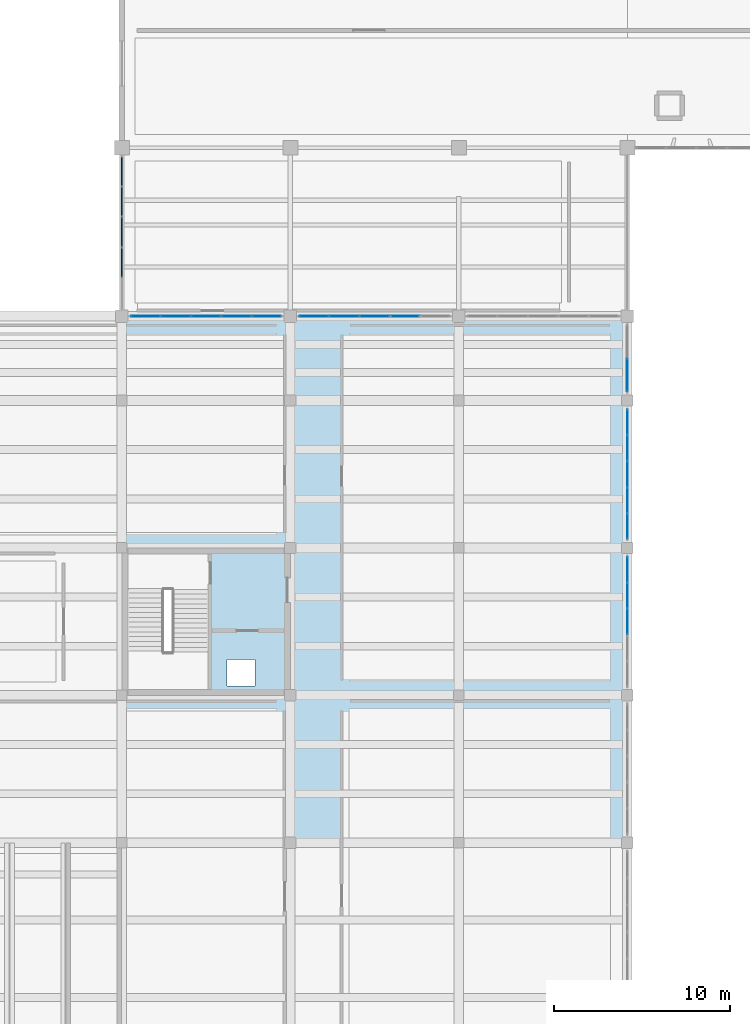
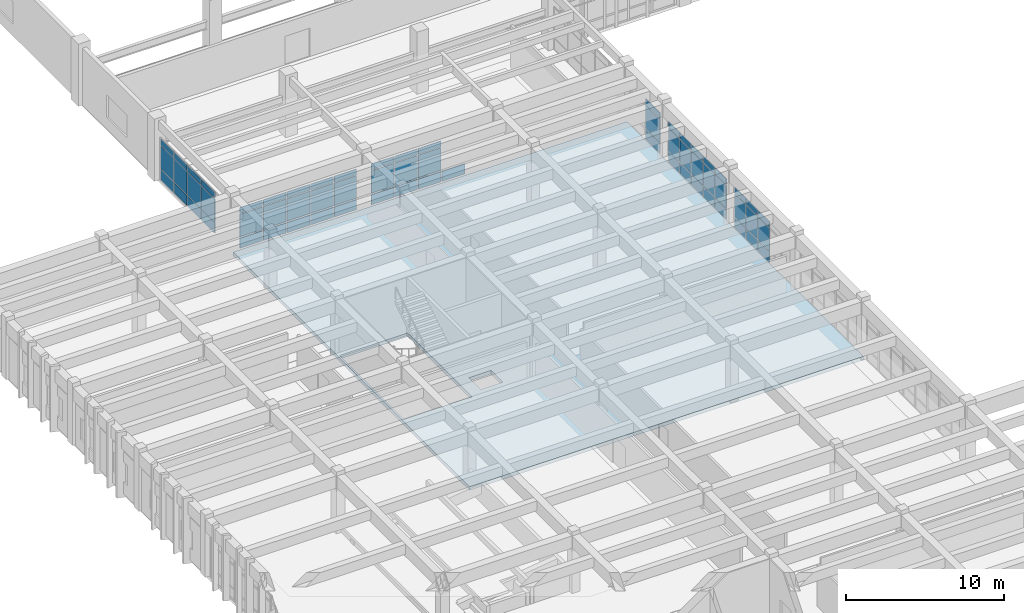
# One storey, part 49 of 86: 64 plates, 1 slab, 6 elements without a shape of their own.
"""IFC4 building model written with IfcOpenShell, lengths in metres."""

from ifc_helpers import new_model, si_unit, direction, frame, origin, origin_2d, place, context, subcontext, project, spatial, polyline, rectangle, outline, extrude, material, layer, layer_set, type_object, element, aggregate, save


model = new_model("IFC4")

# Units and contexts
model_context = context("Model", 3, precision=1e-05, world=origin(), true_north=direction((0.0, 1.0)))
body_context = subcontext(model_context, "Body", "Model", "MODEL_VIEW")
ifc_project = project(units=[si_unit("LENGTHUNIT", "METRE"), si_unit("AREAUNIT", "SQUARE_METRE"), si_unit("VOLUMEUNIT", "CUBIC_METRE"), si_unit("PLANEANGLEUNIT", "RADIAN"), si_unit("MASSUNIT", "GRAM", prefix="KILO")], contexts=[model_context])

# Site, building, storey
site_placement = place(None, origin())
site = spatial("IfcSite", under=ifc_project, at=site_placement, CompositionType="ELEMENT")
building_placement = place(site_placement, origin())
building = spatial("IfcBuilding", under=site, at=building_placement, Name="Kolvemor Railside Polytechnic", CompositionType="ELEMENT")
storey_placement = place(building_placement, frame((0.0, 0.0, 5.39990234375)))
storey = spatial("IfcBuildingStorey", under=building, at=storey_placement, Name="L01", CompositionType="ELEMENT", Elevation=5.39990234375)

# Curtain wall, plates
ifc_material_1 = material(Name="Anodised marine aluminium and laminated low-E glass", Category="aluminium")
ifc_layer_1 = layer(ifc_material_1, 0.179931640625, Name="CW-UNIT-STD")
ifc_layer_set_1 = layer_set([ifc_layer_1], Name="Anodised marine aluminium and laminated low-E glass")
curtain_wall_type = type_object("IfcCurtainWallType", Name="CW-UNIT-STD", PredefinedType="USERDEFINED", material=ifc_layer_set_1)
curtain_wall_1_placement = place(storey_placement, origin())
curtain_wall_1 = element("IfcCurtainWall", 1, at=curtain_wall_1_placement, inside=storey, type_object=curtain_wall_type, Name="Curtain Wall L01-076", ObjectType="UNITISED CURTAIN WALL", PredefinedType="USERDEFINED")
ifc_material_2 = material(Name="Hurricane-laminated solar-control low-E glass", Category="glass")
ifc_layer_2 = layer(ifc_material_2, 0.0400390625, Name="CWP-GLZ-10")
ifc_layer_set_2 = layer_set([ifc_layer_2], Name="Hurricane-laminated solar-control low-E glass")
plate_type_1 = type_object("IfcPlateType", Name="CWP-GLZ-10", PredefinedType="CURTAIN_PANEL", material=ifc_layer_set_2)
plate_1_placement = place(storey_placement, frame((48.0, 64.199951171875, 0.06494140625), z_axis=(0.0, 0.0, 1.0), x_axis=(0.0, 1.0, 0.0)))
plate_1 = element("IfcPlate", 2, at=plate_1_placement, type_object=plate_type_1, Name="CW-STD panel 3.1", PredefinedType="CURTAIN_PANEL", context=body_context, shape_type="SweptSolid", body=[
    extrude(rectangle(XDim=1.427001953125, YDim=0.0400390625, at=origin_2d()), origin(), (0.0, 0.0, 1.0), 0.802490234375),
])
plate_2_placement = place(storey_placement, frame((48.0, 64.199951171875, 0.9326171875), z_axis=(0.0, 0.0, 1.0), x_axis=(0.0, 1.0, 0.0)))
plate_2 = element("IfcPlate", 3, at=plate_2_placement, type_object=plate_type_1, Name="CW-STD panel 3.2", PredefinedType="CURTAIN_PANEL", context=body_context, shape_type="SweptSolid", body=[
    extrude(rectangle(XDim=1.427001953125, YDim=0.0400390625, at=origin_2d()), origin(), (0.0, 0.0, 1.0), 1.764892578125),
])
plate_3_placement = place(storey_placement, frame((48.0, 64.199951171875, 2.7626953125), z_axis=(0.0, 0.0, 1.0), x_axis=(0.0, 1.0, 0.0)))
plate_3 = element("IfcPlate", 4, at=plate_3_placement, type_object=plate_type_1, Name="CW-STD panel 3.3", PredefinedType="CURTAIN_PANEL", context=body_context, shape_type="SweptSolid", body=[
    extrude(rectangle(XDim=1.427001953125, YDim=0.0400390625, at=origin_2d()), origin(), (0.0, 0.0, 1.0), 0.452392578125),
])
plate_4_placement = place(storey_placement, frame((48.0, 65.69189453125, 0.06494140625), z_axis=(0.0, 0.0, 1.0), x_axis=(0.0, 1.0, 0.0)))
plate_4 = element("IfcPlate", 5, at=plate_4_placement, type_object=plate_type_1, Name="CW-STD panel 4.1", PredefinedType="CURTAIN_PANEL", context=body_context, shape_type="SweptSolid", body=[
    extrude(rectangle(XDim=1.427001953125, YDim=0.0400390625, at=origin_2d()), origin(), (0.0, 0.0, 1.0), 0.802490234375),
])
plate_5_placement = place(storey_placement, frame((48.0, 65.69189453125, 0.9326171875), z_axis=(0.0, 0.0, 1.0), x_axis=(0.0, 1.0, 0.0)))
plate_5 = element("IfcPlate", 6, at=plate_5_placement, type_object=plate_type_1, Name="CW-STD panel 4.2", PredefinedType="CURTAIN_PANEL", context=body_context, shape_type="SweptSolid", body=[
    extrude(rectangle(XDim=1.427001953125, YDim=0.0400390625, at=origin_2d()), origin(), (0.0, 0.0, 1.0), 1.764892578125),
])
plate_6_placement = place(storey_placement, frame((48.0, 65.69189453125, 2.7626953125), z_axis=(0.0, 0.0, 1.0), x_axis=(0.0, 1.0, 0.0)))
plate_6 = element("IfcPlate", 7, at=plate_6_placement, type_object=plate_type_1, Name="CW-STD panel 4.3", PredefinedType="CURTAIN_PANEL", context=body_context, shape_type="SweptSolid", body=[
    extrude(rectangle(XDim=1.427001953125, YDim=0.0400390625, at=origin_2d()), origin(), (0.0, 0.0, 1.0), 0.452392578125),
])
plate_7_placement = place(storey_placement, frame((48.0, 67.167724609375, 0.06494140625), z_axis=(0.0, 0.0, 1.0), x_axis=(0.0, 1.0, 0.0)))
plate_7 = element("IfcPlate", 8, at=plate_7_placement, type_object=plate_type_1, Name="CW-STD panel 5.1", PredefinedType="CURTAIN_PANEL", context=body_context, shape_type="SweptSolid", body=[
    extrude(rectangle(XDim=1.39453125, YDim=0.0400390625, at=origin_2d()), origin(), (0.0, 0.0, 1.0), 0.802490234375),
])
plate_8_placement = place(storey_placement, frame((48.0, 67.167724609375, 0.9326171875), z_axis=(0.0, 0.0, 1.0), x_axis=(0.0, 1.0, 0.0)))
plate_8 = element("IfcPlate", 9, at=plate_8_placement, type_object=plate_type_1, Name="CW-STD panel 5.2", PredefinedType="CURTAIN_PANEL", context=body_context, shape_type="SweptSolid", body=[
    extrude(rectangle(XDim=1.39453125, YDim=0.0400390625, at=origin_2d()), origin(), (0.0, 0.0, 1.0), 1.764892578125),
])
plate_9_placement = place(storey_placement, frame((48.0, 67.167724609375, 2.7626953125), z_axis=(0.0, 0.0, 1.0), x_axis=(0.0, 1.0, 0.0)))
plate_9 = element("IfcPlate", 10, at=plate_9_placement, type_object=plate_type_1, Name="CW-STD panel 5.3", PredefinedType="CURTAIN_PANEL", context=body_context, shape_type="SweptSolid", body=[
    extrude(rectangle(XDim=1.39453125, YDim=0.0400390625, at=origin_2d()), origin(), (0.0, 0.0, 1.0), 0.452392578125),
])
aggregate(curtain_wall_1, [plate_1, plate_2, plate_3, plate_4, plate_5, plate_6, plate_7, plate_8, plate_9])

curtain_wall_2_placement = place(storey_placement, origin())
curtain_wall_2 = element("IfcCurtainWall", 11, at=curtain_wall_2_placement, inside=storey, type_object=curtain_wall_type, Name="Curtain Wall L01-083", ObjectType="UNITISED CURTAIN WALL", PredefinedType="USERDEFINED")
ifc_material_3 = material(Name="Hurricane-laminated solar-control low-E glass", Category="glass")
ifc_layer_3 = layer(ifc_material_3, 0.0419921875, Name="CWP-GLZ-11")
ifc_layer_set_3 = layer_set([ifc_layer_3], Name="Hurricane-laminated solar-control low-E glass")
plate_type_2 = type_object("IfcPlateType", Name="CWP-GLZ-11", PredefinedType="CURTAIN_PANEL", material=ifc_layer_set_3)
plate_10_placement = place(storey_placement, frame((48.0, 69.63232421875, 0.06494140625), z_axis=(0.0, 0.0, 1.0), x_axis=(0.0, 1.0, 0.0)))
plate_10 = element("IfcPlate", 12, at=plate_10_placement, type_object=plate_type_2, Name="CW-STD panel 1.1", PredefinedType="CURTAIN_PANEL", context=body_context, shape_type="SweptSolid", body=[
    extrude(rectangle(XDim=1.39453125, YDim=0.0419921875, at=origin_2d()), origin(), (0.0, 0.0, 1.0), 0.802490234375),
])
plate_11_placement = place(storey_placement, frame((48.0, 69.63232421875, 0.9326171875), z_axis=(0.0, 0.0, 1.0), x_axis=(0.0, 1.0, 0.0)))
plate_11 = element("IfcPlate", 13, at=plate_11_placement, type_object=plate_type_2, Name="CW-STD panel 1.2", PredefinedType="CURTAIN_PANEL", context=body_context, shape_type="SweptSolid", body=[
    extrude(rectangle(XDim=1.39453125, YDim=0.0419921875, at=origin_2d()), origin(), (0.0, 0.0, 1.0), 1.764892578125),
])
plate_12_placement = place(storey_placement, frame((48.0, 69.63232421875, 2.7626953125), z_axis=(0.0, 0.0, 1.0), x_axis=(0.0, 1.0, 0.0)))
plate_12 = element("IfcPlate", 14, at=plate_12_placement, type_object=plate_type_2, Name="CW-STD panel 1.3", PredefinedType="CURTAIN_PANEL", context=body_context, shape_type="SweptSolid", body=[
    extrude(rectangle(XDim=1.39453125, YDim=0.0419921875, at=origin_2d()), origin(), (0.0, 0.0, 1.0), 0.452392578125),
])
plate_13_placement = place(storey_placement, frame((48.0, 71.10791015625, 0.06494140625), z_axis=(0.0, 0.0, 1.0), x_axis=(0.0, 1.0, 0.0)))
plate_13 = element("IfcPlate", 15, at=plate_13_placement, type_object=plate_type_2, Name="CW-STD panel 2.1", PredefinedType="CURTAIN_PANEL", context=body_context, shape_type="SweptSolid", body=[
    extrude(rectangle(XDim=1.427001953125, YDim=0.0419921875, at=origin_2d()), origin(), (0.0, 0.0, 1.0), 0.802490234375),
])
plate_14_placement = place(storey_placement, frame((48.0, 71.10791015625, 0.9326171875), z_axis=(0.0, 0.0, 1.0), x_axis=(0.0, 1.0, 0.0)))
plate_14 = element("IfcPlate", 16, at=plate_14_placement, type_object=plate_type_2, Name="CW-STD panel 2.2", PredefinedType="CURTAIN_PANEL", context=body_context, shape_type="SweptSolid", body=[
    extrude(rectangle(XDim=1.427001953125, YDim=0.0419921875, at=origin_2d()), origin(), (0.0, 0.0, 1.0), 1.764892578125),
])
plate_15_placement = place(storey_placement, frame((48.0, 71.10791015625, 2.7626953125), z_axis=(0.0, 0.0, 1.0), x_axis=(0.0, 1.0, 0.0)))
plate_15 = element("IfcPlate", 17, at=plate_15_placement, type_object=plate_type_2, Name="CW-STD panel 2.3", PredefinedType="CURTAIN_PANEL", context=body_context, shape_type="SweptSolid", body=[
    extrude(rectangle(XDim=1.427001953125, YDim=0.0419921875, at=origin_2d()), origin(), (0.0, 0.0, 1.0), 0.452392578125),
])
plate_16_placement = place(storey_placement, frame((48.0, 72.60009765625, 0.06494140625), z_axis=(0.0, 0.0, 1.0), x_axis=(0.0, 1.0, 0.0)))
plate_16 = element("IfcPlate", 18, at=plate_16_placement, type_object=plate_type_2, Name="CW-STD panel 3.1", PredefinedType="CURTAIN_PANEL", context=body_context, shape_type="SweptSolid", body=[
    extrude(rectangle(XDim=1.427001953125, YDim=0.0419921875, at=origin_2d()), origin(), (0.0, 0.0, 1.0), 0.802490234375),
])
plate_17_placement = place(storey_placement, frame((48.0, 72.60009765625, 0.9326171875), z_axis=(0.0, 0.0, 1.0), x_axis=(0.0, 1.0, 0.0)))
plate_17 = element("IfcPlate", 19, at=plate_17_placement, type_object=plate_type_2, Name="CW-STD panel 3.2", PredefinedType="CURTAIN_PANEL", context=body_context, shape_type="SweptSolid", body=[
    extrude(rectangle(XDim=1.427001953125, YDim=0.0419921875, at=origin_2d()), origin(), (0.0, 0.0, 1.0), 1.764892578125),
])
plate_18_placement = place(storey_placement, frame((48.0, 72.60009765625, 2.7626953125), z_axis=(0.0, 0.0, 1.0), x_axis=(0.0, 1.0, 0.0)))
plate_18 = element("IfcPlate", 20, at=plate_18_placement, type_object=plate_type_2, Name="CW-STD panel 3.3", PredefinedType="CURTAIN_PANEL", context=body_context, shape_type="SweptSolid", body=[
    extrude(rectangle(XDim=1.427001953125, YDim=0.0419921875, at=origin_2d()), origin(), (0.0, 0.0, 1.0), 0.452392578125),
])
plate_19_placement = place(storey_placement, frame((48.0, 74.092041015625, 0.06494140625), z_axis=(0.0, 0.0, 1.0), x_axis=(0.0, 1.0, 0.0)))
plate_19 = element("IfcPlate", 21, at=plate_19_placement, type_object=plate_type_2, Name="CW-STD panel 4.1", PredefinedType="CURTAIN_PANEL", context=body_context, shape_type="SweptSolid", body=[
    extrude(rectangle(XDim=1.427001953125, YDim=0.0419921875, at=origin_2d()), origin(), (0.0, 0.0, 1.0), 0.802490234375),
])
plate_20_placement = place(storey_placement, frame((48.0, 74.092041015625, 0.9326171875), z_axis=(0.0, 0.0, 1.0), x_axis=(0.0, 1.0, 0.0)))
plate_20 = element("IfcPlate", 22, at=plate_20_placement, type_object=plate_type_2, Name="CW-STD panel 4.2", PredefinedType="CURTAIN_PANEL", context=body_context, shape_type="SweptSolid", body=[
    extrude(rectangle(XDim=1.427001953125, YDim=0.0419921875, at=origin_2d()), origin(), (0.0, 0.0, 1.0), 1.764892578125),
])
plate_21_placement = place(storey_placement, frame((48.0, 74.092041015625, 2.7626953125), z_axis=(0.0, 0.0, 1.0), x_axis=(0.0, 1.0, 0.0)))
plate_21 = element("IfcPlate", 23, at=plate_21_placement, type_object=plate_type_2, Name="CW-STD panel 4.3", PredefinedType="CURTAIN_PANEL", context=body_context, shape_type="SweptSolid", body=[
    extrude(rectangle(XDim=1.427001953125, YDim=0.0419921875, at=origin_2d()), origin(), (0.0, 0.0, 1.0), 0.452392578125),
])
plate_22_placement = place(storey_placement, frame((48.0, 75.56787109375, 0.06494140625), z_axis=(0.0, 0.0, 1.0), x_axis=(0.0, 1.0, 0.0)))
plate_22 = element("IfcPlate", 24, at=plate_22_placement, type_object=plate_type_2, Name="CW-STD panel 5.1", PredefinedType="CURTAIN_PANEL", context=body_context, shape_type="SweptSolid", body=[
    extrude(rectangle(XDim=1.39453125, YDim=0.0419921875, at=origin_2d()), origin(), (0.0, 0.0, 1.0), 0.802490234375),
])
plate_23_placement = place(storey_placement, frame((48.0, 75.56787109375, 0.9326171875), z_axis=(0.0, 0.0, 1.0), x_axis=(0.0, 1.0, 0.0)))
plate_23 = element("IfcPlate", 25, at=plate_23_placement, type_object=plate_type_2, Name="CW-STD panel 5.2", PredefinedType="CURTAIN_PANEL", context=body_context, shape_type="SweptSolid", body=[
    extrude(rectangle(XDim=1.39453125, YDim=0.0419921875, at=origin_2d()), origin(), (0.0, 0.0, 1.0), 1.764892578125),
])
plate_24_placement = place(storey_placement, frame((48.0, 75.56787109375, 2.7626953125), z_axis=(0.0, 0.0, 1.0), x_axis=(0.0, 1.0, 0.0)))
plate_24 = element("IfcPlate", 26, at=plate_24_placement, type_object=plate_type_2, Name="CW-STD panel 5.3", PredefinedType="CURTAIN_PANEL", context=body_context, shape_type="SweptSolid", body=[
    extrude(rectangle(XDim=1.39453125, YDim=0.0419921875, at=origin_2d()), origin(), (0.0, 0.0, 1.0), 0.452392578125),
])
aggregate(curtain_wall_2, [plate_10, plate_11, plate_12, plate_13, plate_14, plate_15, plate_16, plate_17, plate_18, plate_19, plate_20, plate_21, plate_22, plate_23, plate_24])

curtain_wall_3_placement = place(storey_placement, origin())
curtain_wall_3 = element("IfcCurtainWall", 27, at=curtain_wall_3_placement, inside=storey, type_object=curtain_wall_type, Name="Curtain Wall L01-036", ObjectType="UNITISED CURTAIN WALL", PredefinedType="USERDEFINED")
ifc_material_4 = material(Name="Hurricane-laminated solar-control low-E glass", Category="glass")
ifc_layer_4 = layer(ifc_material_4, 0.0439453125, Name="CWP-GLZ-12")
ifc_layer_set_4 = layer_set([ifc_layer_4], Name="Hurricane-laminated solar-control low-E glass")
plate_type_3 = type_object("IfcPlateType", Name="CWP-GLZ-12", PredefinedType="CURTAIN_PANEL", material=ifc_layer_set_4)
plate_25_placement = place(storey_placement, frame((27.44775390625, 81.60009765625, 0.06494140625), z_axis=(0.0, 0.0, 1.0), x_axis=(-1.0, 0.0, 0.0)))
plate_25 = element("IfcPlate", 28, at=plate_25_placement, type_object=plate_type_3, Name="CW-STD panel 1.1", PredefinedType="CURTAIN_PANEL", context=body_context, shape_type="SweptSolid", body=[
    extrude(rectangle(XDim=1.634521484375, YDim=0.0439453125, at=origin_2d()), origin(), (0.0, 0.0, 1.0), 0.802490234375),
])
plate_26_placement = place(storey_placement, frame((27.44775390625, 81.60009765625, 0.9326171875), z_axis=(0.0, 0.0, 1.0), x_axis=(-1.0, 0.0, 0.0)))
plate_26 = element("IfcPlate", 29, at=plate_26_placement, type_object=plate_type_3, Name="CW-STD panel 1.2", PredefinedType="CURTAIN_PANEL", context=body_context, shape_type="SweptSolid", body=[
    extrude(rectangle(XDim=1.634521484375, YDim=0.0439453125, at=origin_2d()), origin(), (0.0, 0.0, 1.0), 1.764892578125),
])
plate_27_placement = place(storey_placement, frame((27.44775390625, 81.60009765625, 2.7626953125), z_axis=(0.0, 0.0, 1.0), x_axis=(-1.0, 0.0, 0.0)))
plate_27 = element("IfcPlate", 30, at=plate_27_placement, type_object=plate_type_3, Name="CW-STD panel 1.3", PredefinedType="CURTAIN_PANEL", context=body_context, shape_type="SweptSolid", body=[
    extrude(rectangle(XDim=1.634521484375, YDim=0.0439453125, at=origin_2d()), origin(), (0.0, 0.0, 1.0), 0.452392578125),
])
plate_28_placement = place(storey_placement, frame((25.73193359375, 81.60009765625, 0.06494140625), z_axis=(0.0, 0.0, 1.0), x_axis=(-1.0, 0.0, 0.0)))
plate_28 = element("IfcPlate", 31, at=plate_28_placement, type_object=plate_type_3, Name="CW-STD panel 2.1", PredefinedType="CURTAIN_PANEL", context=body_context, shape_type="SweptSolid", body=[
    extrude(rectangle(XDim=1.6669921875, YDim=0.0439453125, at=origin_2d()), origin(), (0.0, 0.0, 1.0), 0.802490234375),
])
plate_29_placement = place(storey_placement, frame((25.73193359375, 81.60009765625, 0.9326171875), z_axis=(0.0, 0.0, 1.0), x_axis=(-1.0, 0.0, 0.0)))
plate_29 = element("IfcPlate", 32, at=plate_29_placement, type_object=plate_type_3, Name="CW-STD panel 2.2", PredefinedType="CURTAIN_PANEL", context=body_context, shape_type="SweptSolid", body=[
    extrude(rectangle(XDim=1.6669921875, YDim=0.0439453125, at=origin_2d()), origin(), (0.0, 0.0, 1.0), 1.764892578125),
])
plate_30_placement = place(storey_placement, frame((25.73193359375, 81.60009765625, 2.7626953125), z_axis=(0.0, 0.0, 1.0), x_axis=(-1.0, 0.0, 0.0)))
plate_30 = element("IfcPlate", 33, at=plate_30_placement, type_object=plate_type_3, Name="CW-STD panel 2.3", PredefinedType="CURTAIN_PANEL", context=body_context, shape_type="SweptSolid", body=[
    extrude(rectangle(XDim=1.6669921875, YDim=0.0439453125, at=origin_2d()), origin(), (0.0, 0.0, 1.0), 0.452392578125),
])
plate_31_placement = place(storey_placement, frame((24.0, 81.60009765625, 0.06494140625), z_axis=(0.0, 0.0, 1.0), x_axis=(-1.0, 0.0, 0.0)))
plate_31 = element("IfcPlate", 34, at=plate_31_placement, type_object=plate_type_3, Name="CW-STD panel 3.1", PredefinedType="CURTAIN_PANEL", context=body_context, shape_type="SweptSolid", body=[
    extrude(rectangle(XDim=1.6669921875, YDim=0.0439453125, at=origin_2d()), origin(), (0.0, 0.0, 1.0), 0.802490234375),
])
plate_32_placement = place(storey_placement, frame((24.0, 81.60009765625, 0.9326171875), z_axis=(0.0, 0.0, 1.0), x_axis=(-1.0, 0.0, 0.0)))
plate_32 = element("IfcPlate", 35, at=plate_32_placement, type_object=plate_type_3, Name="CW-STD panel 3.2", PredefinedType="CURTAIN_PANEL", context=body_context, shape_type="SweptSolid", body=[
    extrude(rectangle(XDim=1.6669921875, YDim=0.0439453125, at=origin_2d()), origin(), (0.0, 0.0, 1.0), 1.764892578125),
])
plate_33_placement = place(storey_placement, frame((24.0, 81.60009765625, 2.7626953125), z_axis=(0.0, 0.0, 1.0), x_axis=(-1.0, 0.0, 0.0)))
plate_33 = element("IfcPlate", 36, at=plate_33_placement, type_object=plate_type_3, Name="CW-STD panel 3.3", PredefinedType="CURTAIN_PANEL", context=body_context, shape_type="SweptSolid", body=[
    extrude(rectangle(XDim=1.6669921875, YDim=0.0439453125, at=origin_2d()), origin(), (0.0, 0.0, 1.0), 0.452392578125),
])
plate_34_placement = place(storey_placement, frame((22.26806640625, 81.60009765625, 0.06494140625), z_axis=(0.0, 0.0, 1.0), x_axis=(-1.0, 0.0, 0.0)))
plate_34 = element("IfcPlate", 37, at=plate_34_placement, type_object=plate_type_3, Name="CW-STD panel 4.1", PredefinedType="CURTAIN_PANEL", context=body_context, shape_type="SweptSolid", body=[
    extrude(rectangle(XDim=1.6669921875, YDim=0.0439453125, at=origin_2d()), origin(), (0.0, 0.0, 1.0), 0.802490234375),
])
plate_35_placement = place(storey_placement, frame((22.26806640625, 81.60009765625, 0.9326171875), z_axis=(0.0, 0.0, 1.0), x_axis=(-1.0, 0.0, 0.0)))
plate_35 = element("IfcPlate", 38, at=plate_35_placement, type_object=plate_type_3, Name="CW-STD panel 4.2", PredefinedType="CURTAIN_PANEL", context=body_context, shape_type="SweptSolid", body=[
    extrude(rectangle(XDim=1.6669921875, YDim=0.0439453125, at=origin_2d()), origin(), (0.0, 0.0, 1.0), 1.764892578125),
])
plate_36_placement = place(storey_placement, frame((22.26806640625, 81.60009765625, 2.7626953125), z_axis=(0.0, 0.0, 1.0), x_axis=(-1.0, 0.0, 0.0)))
plate_36 = element("IfcPlate", 39, at=plate_36_placement, type_object=plate_type_3, Name="CW-STD panel 4.3", PredefinedType="CURTAIN_PANEL", context=body_context, shape_type="SweptSolid", body=[
    extrude(rectangle(XDim=1.6669921875, YDim=0.0439453125, at=origin_2d()), origin(), (0.0, 0.0, 1.0), 0.452392578125),
])
plate_37_placement = place(storey_placement, frame((20.55224609375, 81.60009765625, 0.06494140625), z_axis=(0.0, 0.0, 1.0), x_axis=(-1.0, 0.0, 0.0)))
plate_37 = element("IfcPlate", 40, at=plate_37_placement, type_object=plate_type_3, Name="CW-STD panel 5.1", PredefinedType="CURTAIN_PANEL", context=body_context, shape_type="SweptSolid", body=[
    extrude(rectangle(XDim=1.634521484375, YDim=0.0439453125, at=origin_2d()), origin(), (0.0, 0.0, 1.0), 0.802490234375),
])
plate_38_placement = place(storey_placement, frame((20.55224609375, 81.60009765625, 0.9326171875), z_axis=(0.0, 0.0, 1.0), x_axis=(-1.0, 0.0, 0.0)))
plate_38 = element("IfcPlate", 41, at=plate_38_placement, type_object=plate_type_3, Name="CW-STD panel 5.2", PredefinedType="CURTAIN_PANEL", context=body_context, shape_type="SweptSolid", body=[
    extrude(rectangle(XDim=1.634521484375, YDim=0.0439453125, at=origin_2d()), origin(), (0.0, 0.0, 1.0), 1.764892578125),
])
plate_39_placement = place(storey_placement, frame((20.55224609375, 81.60009765625, 2.7626953125), z_axis=(0.0, 0.0, 1.0), x_axis=(-1.0, 0.0, 0.0)))
plate_39 = element("IfcPlate", 42, at=plate_39_placement, type_object=plate_type_3, Name="CW-STD panel 5.3", PredefinedType="CURTAIN_PANEL", context=body_context, shape_type="SweptSolid", body=[
    extrude(rectangle(XDim=1.634521484375, YDim=0.0439453125, at=origin_2d()), origin(), (0.0, 0.0, 1.0), 0.452392578125),
])
aggregate(curtain_wall_3, [plate_25, plate_26, plate_27, plate_28, plate_29, plate_30, plate_31, plate_32, plate_33, plate_34, plate_35, plate_36, plate_37, plate_38, plate_39])

curtain_wall_4_placement = place(storey_placement, origin())
curtain_wall_4 = element("IfcCurtainWall", 43, at=curtain_wall_4_placement, inside=storey, type_object=curtain_wall_type, Name="Curtain Wall L01-090", ObjectType="UNITISED CURTAIN WALL", PredefinedType="USERDEFINED")
plate_40_placement = place(storey_placement, frame((48.0, 78.251220703125, 0.06494140625), z_axis=(0.0, 0.0, 1.0), x_axis=(0.0, 1.0, 0.0)))
plate_40 = element("IfcPlate", 44, at=plate_40_placement, type_object=plate_type_3, Name="CW-STD panel 1.1", PredefinedType="CURTAIN_PANEL", context=body_context, shape_type="SweptSolid", body=[
    extrude(rectangle(XDim=1.83251953125, YDim=0.0439453125, at=origin_2d()), origin(), (0.0, 0.0, 1.0), 0.802490234375),
])
plate_41_placement = place(storey_placement, frame((48.0, 78.251220703125, 0.9326171875), z_axis=(0.0, 0.0, 1.0), x_axis=(0.0, 1.0, 0.0)))
plate_41 = element("IfcPlate", 45, at=plate_41_placement, type_object=plate_type_3, Name="CW-STD panel 1.2", PredefinedType="CURTAIN_PANEL", context=body_context, shape_type="SweptSolid", body=[
    extrude(rectangle(XDim=1.83251953125, YDim=0.0439453125, at=origin_2d()), origin(), (0.0, 0.0, 1.0), 1.764892578125),
])
plate_42_placement = place(storey_placement, frame((48.0, 78.251220703125, 2.7626953125), z_axis=(0.0, 0.0, 1.0), x_axis=(0.0, 1.0, 0.0)))
plate_42 = element("IfcPlate", 46, at=plate_42_placement, type_object=plate_type_3, Name="CW-STD panel 1.3", PredefinedType="CURTAIN_PANEL", context=body_context, shape_type="SweptSolid", body=[
    extrude(rectangle(XDim=1.83251953125, YDim=0.0439453125, at=origin_2d()), origin(), (0.0, 0.0, 1.0), 0.452392578125),
])
aggregate(curtain_wall_4, [plate_40, plate_41, plate_42])

curtain_wall_5_placement = place(storey_placement, origin())
curtain_wall_5 = element("IfcCurtainWall", 47, at=curtain_wall_5_placement, inside=storey, type_object=curtain_wall_type, Name="Curtain Wall L01-037", ObjectType="UNITISED CURTAIN WALL", PredefinedType="USERDEFINED")
ifc_material_5 = material(Name="Hurricane-laminated solar-control low-E glass", Category="glass")
ifc_layer_5 = layer(ifc_material_5, 0.0458984375, Name="CWP-GLZ-13")
ifc_layer_set_5 = layer_set([ifc_layer_5], Name="Hurricane-laminated solar-control low-E glass")
plate_type_4 = type_object("IfcPlateType", Name="CWP-GLZ-13", PredefinedType="CURTAIN_PANEL", material=ifc_layer_set_5)
plate_43_placement = place(storey_placement, frame((35.33203125, 81.60009765625, 0.06494140625), z_axis=(0.0, 0.0, 1.0), x_axis=(-1.0, 0.0, 0.0)))
plate_43 = element("IfcPlate", 48, at=plate_43_placement, type_object=plate_type_4, Name="CW-STD panel 2.1", PredefinedType="CURTAIN_PANEL", context=body_context, shape_type="SweptSolid", body=[
    extrude(rectangle(XDim=1.6669921875, YDim=0.0458984375, at=origin_2d()), origin(), (0.0, 0.0, 1.0), 0.802490234375),
])
plate_44_placement = place(storey_placement, frame((33.60009765625, 81.60009765625, 0.06494140625), z_axis=(0.0, 0.0, 1.0), x_axis=(-1.0, 0.0, 0.0)))
plate_44 = element("IfcPlate", 49, at=plate_44_placement, type_object=plate_type_4, Name="CW-STD panel 3.1", PredefinedType="CURTAIN_PANEL", context=body_context, shape_type="SweptSolid", body=[
    extrude(rectangle(XDim=1.6669921875, YDim=0.0458984375, at=origin_2d()), origin(), (0.0, 0.0, 1.0), 0.802490234375),
])
plate_45_placement = place(storey_placement, frame((33.60009765625, 81.60009765625, 0.9326171875), z_axis=(0.0, 0.0, 1.0), x_axis=(-1.0, 0.0, 0.0)))
plate_45 = element("IfcPlate", 50, at=plate_45_placement, type_object=plate_type_4, Name="CW-STD panel 3.2", PredefinedType="CURTAIN_PANEL", context=body_context, shape_type="SweptSolid", body=[
    extrude(rectangle(XDim=1.6669921875, YDim=0.0458984375, at=origin_2d()), origin(), (0.0, 0.0, 1.0), 1.764892578125),
])
plate_46_placement = place(storey_placement, frame((33.60009765625, 81.60009765625, 2.7626953125), z_axis=(0.0, 0.0, 1.0), x_axis=(-1.0, 0.0, 0.0)))
plate_46 = element("IfcPlate", 51, at=plate_46_placement, type_object=plate_type_4, Name="CW-STD panel 3.3", PredefinedType="CURTAIN_PANEL", context=body_context, shape_type="SweptSolid", body=[
    extrude(rectangle(XDim=1.6669921875, YDim=0.0458984375, at=origin_2d()), origin(), (0.0, 0.0, 1.0), 0.452392578125),
])
plate_47_placement = place(storey_placement, frame((31.867919921875, 81.60009765625, 0.06494140625), z_axis=(0.0, 0.0, 1.0), x_axis=(-1.0, 0.0, 0.0)))
plate_47 = element("IfcPlate", 52, at=plate_47_placement, type_object=plate_type_4, Name="CW-STD panel 4.1", PredefinedType="CURTAIN_PANEL", context=body_context, shape_type="SweptSolid", body=[
    extrude(rectangle(XDim=1.6669921875, YDim=0.0458984375, at=origin_2d()), origin(), (0.0, 0.0, 1.0), 0.802490234375),
])
plate_48_placement = place(storey_placement, frame((31.867919921875, 81.60009765625, 0.9326171875), z_axis=(0.0, 0.0, 1.0), x_axis=(-1.0, 0.0, 0.0)))
plate_48 = element("IfcPlate", 53, at=plate_48_placement, type_object=plate_type_4, Name="CW-STD panel 4.2", PredefinedType="CURTAIN_PANEL", context=body_context, shape_type="SweptSolid", body=[
    extrude(rectangle(XDim=1.6669921875, YDim=0.0458984375, at=origin_2d()), origin(), (0.0, 0.0, 1.0), 1.764892578125),
])
plate_49_placement = place(storey_placement, frame((31.867919921875, 81.60009765625, 2.7626953125), z_axis=(0.0, 0.0, 1.0), x_axis=(-1.0, 0.0, 0.0)))
plate_49 = element("IfcPlate", 54, at=plate_49_placement, type_object=plate_type_4, Name="CW-STD panel 4.3", PredefinedType="CURTAIN_PANEL", context=body_context, shape_type="SweptSolid", body=[
    extrude(rectangle(XDim=1.6669921875, YDim=0.0458984375, at=origin_2d()), origin(), (0.0, 0.0, 1.0), 0.452392578125),
])
plate_50_placement = place(storey_placement, frame((30.15234375, 81.60009765625, 0.06494140625), z_axis=(0.0, 0.0, 1.0), x_axis=(-1.0, 0.0, 0.0)))
plate_50 = element("IfcPlate", 55, at=plate_50_placement, type_object=plate_type_4, Name="CW-STD panel 5.1", PredefinedType="CURTAIN_PANEL", context=body_context, shape_type="SweptSolid", body=[
    extrude(rectangle(XDim=1.634521484375, YDim=0.0458984375, at=origin_2d()), origin(), (0.0, 0.0, 1.0), 0.802490234375),
])
plate_51_placement = place(storey_placement, frame((30.15234375, 81.60009765625, 0.9326171875), z_axis=(0.0, 0.0, 1.0), x_axis=(-1.0, 0.0, 0.0)))
plate_51 = element("IfcPlate", 56, at=plate_51_placement, type_object=plate_type_4, Name="CW-STD panel 5.2", PredefinedType="CURTAIN_PANEL", context=body_context, shape_type="SweptSolid", body=[
    extrude(rectangle(XDim=1.634521484375, YDim=0.0458984375, at=origin_2d()), origin(), (0.0, 0.0, 1.0), 1.764892578125),
])
plate_52_placement = place(storey_placement, frame((30.15234375, 81.60009765625, 2.7626953125), z_axis=(0.0, 0.0, 1.0), x_axis=(-1.0, 0.0, 0.0)))
plate_52 = element("IfcPlate", 57, at=plate_52_placement, type_object=plate_type_4, Name="CW-STD panel 5.3", PredefinedType="CURTAIN_PANEL", context=body_context, shape_type="SweptSolid", body=[
    extrude(rectangle(XDim=1.634521484375, YDim=0.0458984375, at=origin_2d()), origin(), (0.0, 0.0, 1.0), 0.452392578125),
])
aggregate(curtain_wall_5, [plate_43, plate_44, plate_45, plate_46, plate_47, plate_48, plate_49, plate_50, plate_51, plate_52])

curtain_wall_6_placement = place(storey_placement, origin())
curtain_wall_6 = element("IfcCurtainWall", 58, at=curtain_wall_6_placement, inside=storey, type_object=curtain_wall_type, Name="Curtain Wall L01-042", ObjectType="UNITISED CURTAIN WALL", PredefinedType="USERDEFINED")
ifc_material_6 = material(Name="Hurricane-laminated solar-control low-E glass", Category="glass")
ifc_layer_6 = layer(ifc_material_6, 0.06201171875, Name="CWP-GLZ-21")
ifc_layer_set_6 = layer_set([ifc_layer_6], Name="Hurricane-laminated solar-control low-E glass")
plate_type_5 = type_object("IfcPlateType", Name="CWP-GLZ-21", PredefinedType="CURTAIN_PANEL", material=ifc_layer_set_6)
plate_53_placement = place(storey_placement, frame((19.199951171875, 89.84765625, 0.06494140625), z_axis=(0.0, 0.0, 1.0), x_axis=(0.0, -1.0, 0.0)))
plate_53 = element("IfcPlate", 59, at=plate_53_placement, type_object=plate_type_5, Name="CW-STD panel 1.1", PredefinedType="CURTAIN_PANEL", context=body_context, shape_type="SweptSolid", body=[
    extrude(rectangle(XDim=1.634521484375, YDim=0.06201171875, at=origin_2d()), origin(), (0.0, 0.0, 1.0), 0.802490234375),
])
plate_54_placement = place(storey_placement, frame((19.199951171875, 89.84765625, 0.9326171875), z_axis=(0.0, 0.0, 1.0), x_axis=(0.0, -1.0, 0.0)))
plate_54 = element("IfcPlate", 60, at=plate_54_placement, type_object=plate_type_5, Name="CW-STD panel 1.2", PredefinedType="CURTAIN_PANEL", context=body_context, shape_type="SweptSolid", body=[
    extrude(rectangle(XDim=1.634521484375, YDim=0.06201171875, at=origin_2d()), origin(), (0.0, 0.0, 1.0), 1.764892578125),
])
plate_55_placement = place(storey_placement, frame((19.199951171875, 89.84765625, 2.7626953125), z_axis=(0.0, 0.0, 1.0), x_axis=(0.0, -1.0, 0.0)))
plate_55 = element("IfcPlate", 61, at=plate_55_placement, type_object=plate_type_5, Name="CW-STD panel 1.3", PredefinedType="CURTAIN_PANEL", context=body_context, shape_type="SweptSolid", body=[
    extrude(rectangle(XDim=1.634521484375, YDim=0.06201171875, at=origin_2d()), origin(), (0.0, 0.0, 1.0), 0.452392578125),
])
plate_56_placement = place(storey_placement, frame((19.199951171875, 88.132080078125, 0.06494140625), z_axis=(0.0, 0.0, 1.0), x_axis=(0.0, -1.0, 0.0)))
plate_56 = element("IfcPlate", 62, at=plate_56_placement, type_object=plate_type_5, Name="CW-STD panel 2.1", PredefinedType="CURTAIN_PANEL", context=body_context, shape_type="SweptSolid", body=[
    extrude(rectangle(XDim=1.6669921875, YDim=0.06201171875, at=origin_2d()), origin(), (0.0, 0.0, 1.0), 0.802490234375),
])
plate_57_placement = place(storey_placement, frame((19.199951171875, 88.132080078125, 0.9326171875), z_axis=(0.0, 0.0, 1.0), x_axis=(0.0, -1.0, 0.0)))
plate_57 = element("IfcPlate", 63, at=plate_57_placement, type_object=plate_type_5, Name="CW-STD panel 2.2", PredefinedType="CURTAIN_PANEL", context=body_context, shape_type="SweptSolid", body=[
    extrude(rectangle(XDim=1.6669921875, YDim=0.06201171875, at=origin_2d()), origin(), (0.0, 0.0, 1.0), 1.764892578125),
])
plate_58_placement = place(storey_placement, frame((19.199951171875, 88.132080078125, 2.7626953125), z_axis=(0.0, 0.0, 1.0), x_axis=(0.0, -1.0, 0.0)))
plate_58 = element("IfcPlate", 64, at=plate_58_placement, type_object=plate_type_5, Name="CW-STD panel 2.3", PredefinedType="CURTAIN_PANEL", context=body_context, shape_type="SweptSolid", body=[
    extrude(rectangle(XDim=1.6669921875, YDim=0.06201171875, at=origin_2d()), origin(), (0.0, 0.0, 1.0), 0.452392578125),
])
plate_59_placement = place(storey_placement, frame((19.199951171875, 86.39990234375, 0.06494140625), z_axis=(0.0, 0.0, 1.0), x_axis=(0.0, -1.0, 0.0)))
plate_59 = element("IfcPlate", 65, at=plate_59_placement, type_object=plate_type_5, Name="CW-STD panel 3.1", PredefinedType="CURTAIN_PANEL", context=body_context, shape_type="SweptSolid", body=[
    extrude(rectangle(XDim=1.6669921875, YDim=0.06201171875, at=origin_2d()), origin(), (0.0, 0.0, 1.0), 0.802490234375),
])
plate_60_placement = place(storey_placement, frame((19.199951171875, 86.39990234375, 0.9326171875), z_axis=(0.0, 0.0, 1.0), x_axis=(0.0, -1.0, 0.0)))
plate_60 = element("IfcPlate", 66, at=plate_60_placement, type_object=plate_type_5, Name="CW-STD panel 3.2", PredefinedType="CURTAIN_PANEL", context=body_context, shape_type="SweptSolid", body=[
    extrude(rectangle(XDim=1.6669921875, YDim=0.06201171875, at=origin_2d()), origin(), (0.0, 0.0, 1.0), 1.764892578125),
])
plate_61_placement = place(storey_placement, frame((19.199951171875, 86.39990234375, 2.7626953125), z_axis=(0.0, 0.0, 1.0), x_axis=(0.0, -1.0, 0.0)))
plate_61 = element("IfcPlate", 67, at=plate_61_placement, type_object=plate_type_5, Name="CW-STD panel 3.3", PredefinedType="CURTAIN_PANEL", context=body_context, shape_type="SweptSolid", body=[
    extrude(rectangle(XDim=1.6669921875, YDim=0.06201171875, at=origin_2d()), origin(), (0.0, 0.0, 1.0), 0.452392578125),
])
plate_62_placement = place(storey_placement, frame((19.199951171875, 84.66796875, 0.06494140625), z_axis=(0.0, 0.0, 1.0), x_axis=(0.0, -1.0, 0.0)))
plate_62 = element("IfcPlate", 68, at=plate_62_placement, type_object=plate_type_5, Name="CW-STD panel 4.1", PredefinedType="CURTAIN_PANEL", context=body_context, shape_type="SweptSolid", body=[
    extrude(rectangle(XDim=1.6669921875, YDim=0.06201171875, at=origin_2d()), origin(), (0.0, 0.0, 1.0), 0.802490234375),
])
plate_63_placement = place(storey_placement, frame((19.199951171875, 84.66796875, 0.9326171875), z_axis=(0.0, 0.0, 1.0), x_axis=(0.0, -1.0, 0.0)))
plate_63 = element("IfcPlate", 69, at=plate_63_placement, type_object=plate_type_5, Name="CW-STD panel 4.2", PredefinedType="CURTAIN_PANEL", context=body_context, shape_type="SweptSolid", body=[
    extrude(rectangle(XDim=1.6669921875, YDim=0.06201171875, at=origin_2d()), origin(), (0.0, 0.0, 1.0), 1.764892578125),
])
plate_64_placement = place(storey_placement, frame((19.199951171875, 84.66796875, 2.7626953125), z_axis=(0.0, 0.0, 1.0), x_axis=(0.0, -1.0, 0.0)))
plate_64 = element("IfcPlate", 70, at=plate_64_placement, type_object=plate_type_5, Name="CW-STD panel 4.3", PredefinedType="CURTAIN_PANEL", context=body_context, shape_type="SweptSolid", body=[
    extrude(rectangle(XDim=1.6669921875, YDim=0.06201171875, at=origin_2d()), origin(), (0.0, 0.0, 1.0), 0.452392578125),
])
aggregate(curtain_wall_6, [plate_53, plate_54, plate_55, plate_56, plate_57, plate_58, plate_59, plate_60, plate_61, plate_62, plate_63, plate_64])

# Slab
ifc_material_7 = material(Name="Concrete C40/50", Category="concrete")
ifc_layer_7 = layer(ifc_material_7, 0.280029296875, Name="SLB-POD-L01")
ifc_layer_set_7 = layer_set([ifc_layer_7], Name="Concrete C40/50")
slab_type = type_object("IfcSlabType", Name="SLB-POD-L01", PredefinedType="FLOOR", material=ifc_layer_set_7)
slab_placement = place(storey_placement, frame((0.0, 0.0, -0.27978515625)))
element("IfcSlab", 71, at=slab_placement, inside=storey, type_object=slab_type, Name="Lecture Wing L01 Slab L01-50", PredefinedType="FLOOR", context=body_context, shape_type="SweptSolid", body=[
    extrude(outline(polyline([(19.199951171875, 51.60009765625), (48.0, 51.60009765625), (48.0, 81.52490234375), (19.199951171875, 81.52490234375), (19.199951171875, 51.60009765625)]), holes=[polyline([(19.340087890625, 60.139892578125), (24.31005859375, 60.139892578125), (24.31005859375, 68.260009765625), (19.340087890625, 68.260009765625), (19.340087890625, 60.139892578125)]), polyline([(25.199951171875, 60.550048828125), (26.800048828125, 60.550048828125), (26.800048828125, 62.050048828125), (25.199951171875, 62.050048828125), (25.199951171875, 60.550048828125)])]), origin(), (0.0, 0.0, 1.0), 0.27978515625),
])

save(model, "model.ifc")
